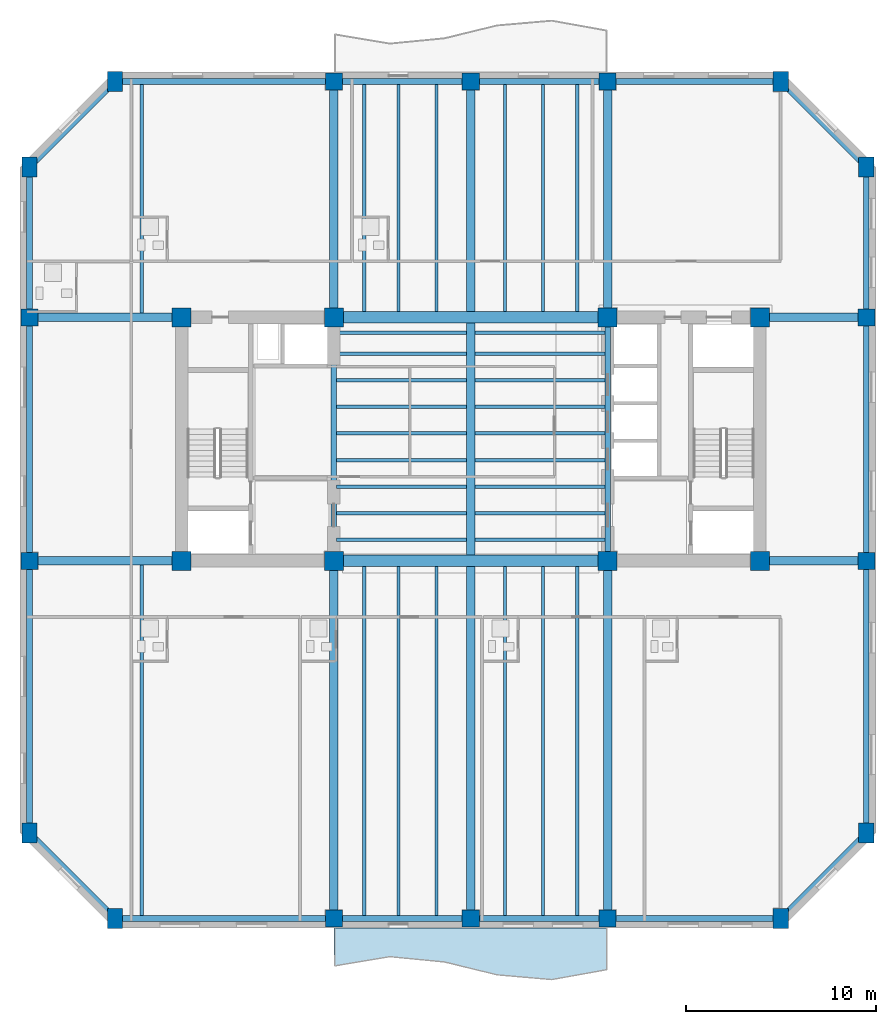
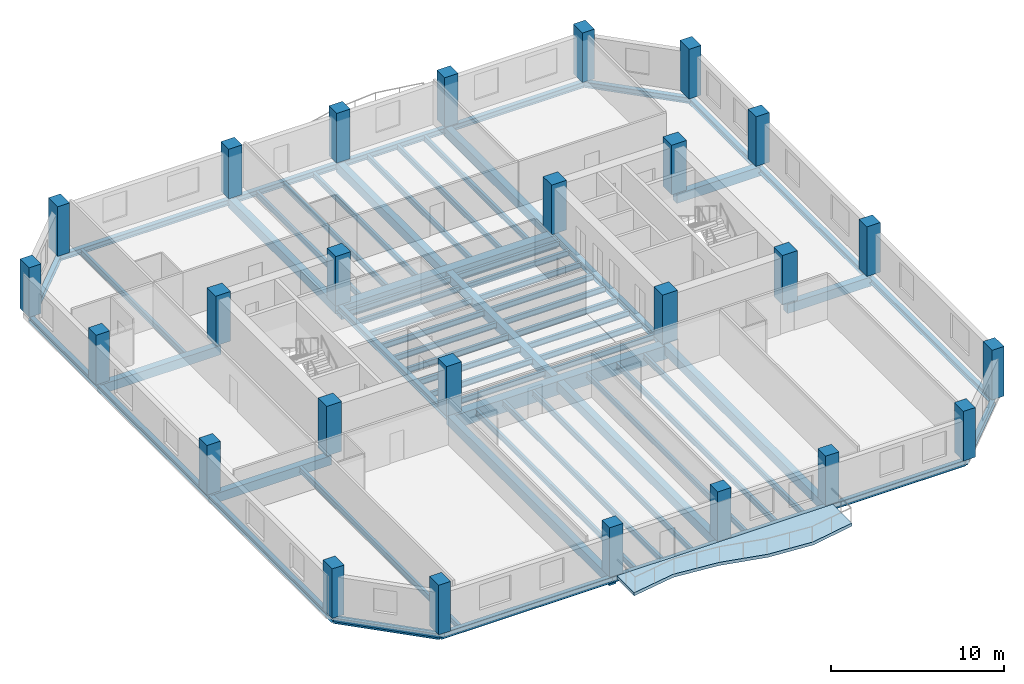
# One storey, part 1 of 10: 65 beams, 26 columns, 1 slab.
"""IFC4 building model written with IfcOpenShell, lengths in metres."""

from ifc_helpers import new_model, si_unit, direction, frame, origin, origin_2d, place, context, subcontext, project, spatial, polyline, rectangle, i_section, outline, extrude, material, layer, layer_set, material_profile, profile_set, type_object, element, save


model = new_model("IFC4")

# Units and contexts
model_context = context("Model", 3, precision=1e-05, world=origin(), true_north=direction((0.0, 1.0)))
body_context = subcontext(model_context, "Body", "Model", "MODEL_VIEW")
ifc_project = project(units=[si_unit("LENGTHUNIT", "METRE"), si_unit("AREAUNIT", "SQUARE_METRE"), si_unit("VOLUMEUNIT", "CUBIC_METRE"), si_unit("PLANEANGLEUNIT", "RADIAN"), si_unit("MASSUNIT", "GRAM", prefix="KILO")], contexts=[model_context])

# Site, building, storey
site_placement = place(None, origin())
site = spatial("IfcSite", under=ifc_project, at=site_placement, CompositionType="ELEMENT")
building_placement = place(site_placement, origin())
building = spatial("IfcBuilding", under=site, at=building_placement, Name="Kranthara Brick Stack", CompositionType="ELEMENT")
storey_placement = place(building_placement, frame((0.0, 0.0, 123.800048828125)))
storey = spatial("IfcBuildingStorey", under=building, at=storey_placement, Name="L30", CompositionType="ELEMENT", Elevation=123.800048828125)

# Columns
ifc_material_1 = material(Name="Concrete C60/75", Category="concrete")
ifc_material_profile_1 = material_profile(ifc_material_1, rectangle(XDim=0.800048828125, YDim=1.050048828125, at=origin_2d()), Name="RC 800x1050")
ifc_profile_set_1 = profile_set([ifc_material_profile_1], Name="Concrete C60/75")
column_type_1 = type_object("IfcColumnType", Name="COL-CHAM-800x1050", PredefinedType="COLUMN", material=ifc_profile_set_1)
for number, where, z_axis, x_axis, name in (
    (1, (9.300048828125, 2.0, 0.0), (0.0, 0.0, 1.0), (1.0, 0.0, 0.0), "L30 Column 09"),
    (2, (9.300048828125, 46.0, 0.0), (0.0, 0.0, 1.0), (1.0, 0.0, 0.0), "L30 Column 10"),
    (3, (44.300048828125, 2.0, 0.0), (0.0, 0.0, 1.0), (1.0, 0.0, 0.0), "L30 Column 17"),
    (4, (44.300048828125, 46.0, 0.0), (0.0, 0.0, 1.0), (1.0, 0.0, 0.0), "L30 Column 18"),
    (5, (4.800048828125, 6.5, 0.0), (0.0, 0.0, 1.0), (1.0, 0.0, 0.0), "L30 Column 19"),
    (6, (48.800048828125, 6.5, 0.0), (0.0, 0.0, 1.0), (1.0, 0.0, 0.0), "L30 Column 20"),
    (7, (4.800048828125, 41.5, 0.0), (0.0, 0.0, 1.0), (1.0, 0.0, 0.0), "L30 Column 25"),
    (8, (48.800048828125, 41.5, 0.0), (0.0, 0.0, 1.0), (1.0, 0.0, 0.0), "L30 Column 26"),
):
    element("IfcColumn", number, at=place(storey_placement, frame(where, z_axis=z_axis, x_axis=x_axis)), inside=storey, type_object=column_type_1, Name=name, PredefinedType="COLUMN", context=body_context, shape_type="SweptSolid", body=[
        extrude(rectangle(XDim=0.800048828125, YDim=1.050048828125, at=origin_2d()), origin(), (0.0, 0.0, 1.0), 3.5),
    ])
ifc_material_2 = material(Name="Concrete C60/75", Category="concrete")
ifc_material_profile_2 = material_profile(ifc_material_2, rectangle(XDim=1.0, YDim=1.0, at=origin_2d()), Name="RC 1000x1000")
ifc_profile_set_2 = profile_set([ifc_material_profile_2], Name="Concrete C60/75")
column_type_2 = type_object("IfcColumnType", Name="COL-CORE-1000", PredefinedType="COLUMN", material=ifc_profile_set_2)
for number, where, z_axis, x_axis, name in (
    (9, (12.800048828125, 20.800048828125, 0.0), (0.0, 0.0, 1.0), (1.0, 0.0, 0.0), "L30 Column 01"),
    (10, (20.800048828125, 20.800048828125, 0.0), (0.0, 0.0, 1.0), (1.0, 0.0, 0.0), "L30 Column 02"),
    (11, (12.800048828125, 33.60009765625, 0.0), (0.0, 0.0, 1.0), (1.0, 0.0, 0.0), "L30 Column 03"),
    (12, (20.800048828125, 33.60009765625, 0.0), (0.0, 0.0, 1.0), (1.0, 0.0, 0.0), "L30 Column 04"),
    (13, (35.199951171875, 20.800048828125, 0.0), (0.0, 0.0, 1.0), (1.0, 0.0, 0.0), "L30 Column 05"),
    (14, (43.199951171875, 20.800048828125, 0.0), (0.0, 0.0, 1.0), (1.0, 0.0, 0.0), "L30 Column 06"),
    (15, (35.199951171875, 33.60009765625, 0.0), (0.0, 0.0, 1.0), (1.0, 0.0, 0.0), "L30 Column 07"),
    (16, (43.199951171875, 33.60009765625, 0.0), (0.0, 0.0, 1.0), (1.0, 0.0, 0.0), "L30 Column 08"),
):
    element("IfcColumn", number, at=place(storey_placement, frame(where, z_axis=z_axis, x_axis=x_axis)), inside=storey, type_object=column_type_2, Name=name, PredefinedType="COLUMN", context=body_context, shape_type="SweptSolid", body=[
        extrude(rectangle(XDim=1.0, YDim=1.0, at=origin_2d()), origin(), (0.0, 0.0, 1.0), 3.5),
    ])
ifc_material_3 = material(Name="Concrete C60/75", Category="concrete")
ifc_material_profile_3 = material_profile(ifc_material_3, rectangle(XDim=0.89990234375, YDim=0.89990234375, at=origin_2d()), Name="RC 900x900")
ifc_profile_set_3 = profile_set([ifc_material_profile_3], Name="Concrete C60/75")
column_type_3 = type_object("IfcColumnType", Name="COL-PER-900", PredefinedType="COLUMN", material=ifc_profile_set_3)
for number, where, z_axis, x_axis, name in (
    (17, (20.800048828125, 2.0, 0.0), (0.0, 0.0, 1.0), (1.0, 0.0, 0.0), "L30 Column 11"),
    (18, (20.800048828125, 46.0, 0.0), (0.0, 0.0, 1.0), (1.0, 0.0, 0.0), "L30 Column 12"),
    (19, (28.0, 2.0, 0.0), (0.0, 0.0, 1.0), (1.0, 0.0, 0.0), "L30 Column 13"),
    (20, (28.0, 46.0, 0.0), (0.0, 0.0, 1.0), (1.0, 0.0, 0.0), "L30 Column 14"),
    (21, (35.199951171875, 2.0, 0.0), (0.0, 0.0, 1.0), (1.0, 0.0, 0.0), "L30 Column 15"),
    (22, (35.199951171875, 46.0, 0.0), (0.0, 0.0, 1.0), (1.0, 0.0, 0.0), "L30 Column 16"),
    (23, (4.800048828125, 20.800048828125, 0.0), (0.0, 0.0, 1.0), (1.0, 0.0, 0.0), "L30 Column 21"),
    (24, (48.800048828125, 20.800048828125, 0.0), (0.0, 0.0, 1.0), (1.0, 0.0, 0.0), "L30 Column 22"),
    (25, (4.800048828125, 33.60009765625, 0.0), (0.0, 0.0, 1.0), (1.0, 0.0, 0.0), "L30 Column 23"),
    (26, (48.800048828125, 33.60009765625, 0.0), (0.0, 0.0, 1.0), (1.0, 0.0, 0.0), "L30 Column 24"),
):
    element("IfcColumn", number, at=place(storey_placement, frame(where, z_axis=z_axis, x_axis=x_axis)), inside=storey, type_object=column_type_3, Name=name, PredefinedType="COLUMN", context=body_context, shape_type="SweptSolid", body=[
        extrude(rectangle(XDim=0.89990234375, YDim=0.89990234375, at=origin_2d()), origin(), (0.0, 0.0, 1.0), 3.5),
    ])

# Beams
ifc_material_4 = material(Name="Concrete C60/75", Category="concrete")
ifc_material_profile_4 = material_profile(ifc_material_4, rectangle(XDim=0.60009765625, YDim=0.949951171875, at=origin_2d()), Name="RC 600x950")
ifc_profile_set_4 = profile_set([ifc_material_profile_4], Name="Concrete C60/75")
beam_type_1 = type_object("IfcBeamType", Name="BM-CPL-RC950", PredefinedType="LINTEL", material=ifc_profile_set_4)
for number, where, z_axis, x_axis, name in (
    (27, (20.800048828125, 20.800048828125, -0.775146484375), (1.0, 0.0, 0.0), (0.0, 1.0, 0.0), "L30 Core Coupling Beam 001"),
    (28, (20.800048828125, 33.60009765625, -0.775146484375), (1.0, 0.0, 0.0), (0.0, 1.0, 0.0), "L30 Core Coupling Beam 002"),
):
    element("IfcBeam", number, at=place(storey_placement, frame(where, z_axis=z_axis, x_axis=x_axis)), inside=storey, type_object=beam_type_1, Name=name, PredefinedType="LINTEL", context=body_context, shape_type="SweptSolid", body=[
        extrude(rectangle(XDim=0.60009765625, YDim=0.949951171875, at=origin_2d()), origin(), (0.0, 0.0, 1.0), 14.39990234375),
    ])
ifc_material_5 = material(Name="Post-tensioned concrete C45/55", Category="concrete")
ifc_material_profile_5 = material_profile(ifc_material_5, rectangle(XDim=0.449951171875, YDim=0.64990234375, at=origin_2d()), Name="PT 450x650")
ifc_profile_set_5 = profile_set([ifc_material_profile_5], Name="Post-tensioned concrete C45/55")
beam_type_2 = type_object("IfcBeamType", Name="BM-FLR-PT650", PredefinedType="BEAM", material=ifc_profile_set_5)
beam_1_placement = place(storey_placement, frame((20.800048828125, 2.0, -0.625), z_axis=(0.0, 1.0, 0.0), x_axis=(-1.0, 0.0, 0.0)))
element("IfcBeam", 29, at=beam_1_placement, inside=storey, type_object=beam_type_2, Name="L30 Primary Grid Girder 023", PredefinedType="BEAM", context=body_context, shape_type="SweptSolid", body=[
    extrude(rectangle(XDim=0.449951171875, YDim=0.64990234375, at=origin_2d()), origin(), (0.0, 0.0, 1.0), 18.800048828125),
])
beam_2_placement = place(storey_placement, frame((20.800048828125, 33.60009765625, -0.625), z_axis=(0.0, 1.0, 0.0), x_axis=(-1.0, 0.0, 0.0)))
element("IfcBeam", 30, at=beam_2_placement, inside=storey, type_object=beam_type_2, Name="L30 Primary Grid Girder 024", PredefinedType="BEAM", context=body_context, shape_type="SweptSolid", body=[
    extrude(rectangle(XDim=0.449951171875, YDim=0.64990234375, at=origin_2d()), origin(), (0.0, 0.0, 1.0), 12.39990234375),
])
beam_3_placement = place(storey_placement, frame((28.0, 2.0, -0.625), z_axis=(0.0, 1.0, 0.0), x_axis=(-1.0, 0.0, 0.0)))
element("IfcBeam", 31, at=beam_3_placement, inside=storey, type_object=beam_type_2, Name="L30 Primary Grid Girder 025", PredefinedType="BEAM", context=body_context, shape_type="SweptSolid", body=[
    extrude(rectangle(XDim=0.449951171875, YDim=0.64990234375, at=origin_2d()), origin(), (0.0, 0.0, 1.0), 18.5),
])
beam_4_placement = place(storey_placement, frame((28.0, 21.10009765625, -0.625), z_axis=(0.0, 1.0, 0.0), x_axis=(-1.0, 0.0, 0.0)))
element("IfcBeam", 32, at=beam_4_placement, inside=storey, type_object=beam_type_2, Name="L30 Central Spine Girder 026", PredefinedType="BEAM", context=body_context, shape_type="SweptSolid", body=[
    extrude(rectangle(XDim=0.449951171875, YDim=0.64990234375, at=origin_2d()), origin(), (0.0, 0.0, 1.0), 12.199951171875),
])
beam_5_placement = place(storey_placement, frame((28.0, 33.89990234375, -0.625), z_axis=(0.0, 1.0, 0.0), x_axis=(-1.0, 0.0, 0.0)))
element("IfcBeam", 33, at=beam_5_placement, inside=storey, type_object=beam_type_2, Name="L30 Primary Grid Girder 027", PredefinedType="BEAM", context=body_context, shape_type="SweptSolid", body=[
    extrude(rectangle(XDim=0.449951171875, YDim=0.64990234375, at=origin_2d()), origin(), (0.0, 0.0, 1.0), 12.10009765625),
])
beam_6_placement = place(storey_placement, frame((35.199951171875, 2.0, -0.625), z_axis=(0.0, 1.0, 0.0), x_axis=(-1.0, 0.0, 0.0)))
element("IfcBeam", 34, at=beam_6_placement, inside=storey, type_object=beam_type_2, Name="L30 Primary Grid Girder 028", PredefinedType="BEAM", context=body_context, shape_type="SweptSolid", body=[
    extrude(rectangle(XDim=0.449951171875, YDim=0.64990234375, at=origin_2d()), origin(), (0.0, 0.0, 1.0), 18.800048828125),
])
beam_7_placement = place(storey_placement, frame((35.199951171875, 33.60009765625, -0.625), z_axis=(0.0, 1.0, 0.0), x_axis=(-1.0, 0.0, 0.0)))
element("IfcBeam", 35, at=beam_7_placement, inside=storey, type_object=beam_type_2, Name="L30 Primary Grid Girder 029", PredefinedType="BEAM", context=body_context, shape_type="SweptSolid", body=[
    extrude(rectangle(XDim=0.449951171875, YDim=0.64990234375, at=origin_2d()), origin(), (0.0, 0.0, 1.0), 12.39990234375),
])
beam_8_placement = place(storey_placement, frame((4.800048828125, 20.800048828125, -0.625), z_axis=(1.0, 0.0, 0.0), x_axis=(0.0, 1.0, 0.0)))
element("IfcBeam", 36, at=beam_8_placement, inside=storey, type_object=beam_type_2, Name="L30 Primary Grid Girder 030", PredefinedType="BEAM", context=body_context, shape_type="SweptSolid", body=[
    extrude(rectangle(XDim=0.449951171875, YDim=0.64990234375, at=origin_2d()), origin(), (0.0, 0.0, 1.0), 8.0),
])
beam_9_placement = place(storey_placement, frame((43.199951171875, 20.800048828125, -0.625), z_axis=(1.0, 0.0, 0.0), x_axis=(0.0, 1.0, 0.0)))
element("IfcBeam", 37, at=beam_9_placement, inside=storey, type_object=beam_type_2, Name="L30 Primary Grid Girder 031", PredefinedType="BEAM", context=body_context, shape_type="SweptSolid", body=[
    extrude(rectangle(XDim=0.449951171875, YDim=0.64990234375, at=origin_2d()), origin(), (0.0, 0.0, 1.0), 5.60009765625),
])
beam_10_placement = place(storey_placement, frame((4.800048828125, 33.60009765625, -0.625), z_axis=(1.0, 0.0, 0.0), x_axis=(0.0, 1.0, 0.0)))
element("IfcBeam", 38, at=beam_10_placement, inside=storey, type_object=beam_type_2, Name="L30 Primary Grid Girder 032", PredefinedType="BEAM", context=body_context, shape_type="SweptSolid", body=[
    extrude(rectangle(XDim=0.449951171875, YDim=0.64990234375, at=origin_2d()), origin(), (0.0, 0.0, 1.0), 8.0),
])
beam_11_placement = place(storey_placement, frame((43.199951171875, 33.60009765625, -0.625), z_axis=(1.0, 0.0, 0.0), x_axis=(0.0, 1.0, 0.0)))
element("IfcBeam", 39, at=beam_11_placement, inside=storey, type_object=beam_type_2, Name="L30 Primary Grid Girder 033", PredefinedType="BEAM", context=body_context, shape_type="SweptSolid", body=[
    extrude(rectangle(XDim=0.449951171875, YDim=0.64990234375, at=origin_2d()), origin(), (0.0, 0.0, 1.0), 5.60009765625),
])
ifc_material_6 = material(Name="Steel S355", Category="steel")
ifc_material_profile_6 = material_profile(ifc_material_6, i_section(OverallWidth=0.179931640625, OverallDepth=0.39990234375, WebThickness=0.008544921875, FlangeThickness=0.013427734375, at=origin_2d()), Name="IPE 400")
ifc_profile_set_6 = profile_set([ifc_material_profile_6], Name="Steel S355")
beam_type_3 = type_object("IfcBeamType", Name="BM-JST-IPE400", PredefinedType="JOIST", material=ifc_profile_set_6)
for number, where, z_axis, x_axis, name in (
    (40, (20.949951171875, 21.89990234375, -0.5), (1.0, 0.0, 0.0), (0.0, 1.0, 0.0), "L30 Central Floor Joist 034"),
    (41, (28.22509765625, 21.89990234375, -0.5), (1.0, 0.0, 0.0), (0.0, 1.0, 0.0), "L30 Central Floor Joist 035"),
    (42, (20.949951171875, 23.300048828125, -0.5), (1.0, 0.0, 0.0), (0.0, 1.0, 0.0), "L30 Central Floor Joist 036"),
    (43, (28.22509765625, 23.300048828125, -0.5), (1.0, 0.0, 0.0), (0.0, 1.0, 0.0), "L30 Central Floor Joist 037"),
    (44, (20.949951171875, 24.699951171875, -0.5), (1.0, 0.0, 0.0), (0.0, 1.0, 0.0), "L30 Central Floor Joist 038"),
    (45, (28.22509765625, 24.699951171875, -0.5), (1.0, 0.0, 0.0), (0.0, 1.0, 0.0), "L30 Central Floor Joist 039"),
    (46, (20.949951171875, 26.10009765625, -0.5), (1.0, 0.0, 0.0), (0.0, 1.0, 0.0), "L30 Central Floor Joist 040"),
    (47, (28.22509765625, 26.10009765625, -0.5), (1.0, 0.0, 0.0), (0.0, 1.0, 0.0), "L30 Central Floor Joist 041"),
    (48, (20.949951171875, 27.5, -0.5), (1.0, 0.0, 0.0), (0.0, 1.0, 0.0), "L30 Central Floor Joist 042"),
    (49, (28.22509765625, 27.5, -0.5), (1.0, 0.0, 0.0), (0.0, 1.0, 0.0), "L30 Central Floor Joist 043"),
    (50, (20.949951171875, 28.89990234375, -0.5), (1.0, 0.0, 0.0), (0.0, 1.0, 0.0), "L30 Central Floor Joist 044"),
    (51, (28.22509765625, 28.89990234375, -0.5), (1.0, 0.0, 0.0), (0.0, 1.0, 0.0), "L30 Central Floor Joist 045"),
    (52, (20.949951171875, 30.300048828125, -0.5), (1.0, 0.0, 0.0), (0.0, 1.0, 0.0), "L30 Central Floor Joist 046"),
    (53, (28.22509765625, 30.300048828125, -0.5), (1.0, 0.0, 0.0), (0.0, 1.0, 0.0), "L30 Central Floor Joist 047"),
    (54, (20.949951171875, 31.699951171875, -0.5), (1.0, 0.0, 0.0), (0.0, 1.0, 0.0), "L30 Central Floor Joist 048"),
    (55, (28.22509765625, 31.699951171875, -0.5), (1.0, 0.0, 0.0), (0.0, 1.0, 0.0), "L30 Central Floor Joist 049"),
    (56, (20.949951171875, 32.800048828125, -0.5), (1.0, 0.0, 0.0), (0.0, 1.0, 0.0), "L30 Central Floor Joist 050"),
    (57, (28.22509765625, 32.800048828125, -0.5), (1.0, 0.0, 0.0), (0.0, 1.0, 0.0), "L30 Central Floor Joist 051"),
):
    element("IfcBeam", number, at=place(storey_placement, frame(where, z_axis=z_axis, x_axis=x_axis)), inside=storey, type_object=beam_type_3, Name=name, PredefinedType="JOIST", context=body_context, shape_type="SweptSolid", body=[
        extrude(i_section(OverallWidth=0.179931640625, OverallDepth=0.39990234375, WebThickness=0.008544921875, FlangeThickness=0.013427734375, at=origin_2d()), origin(), (0.0, 0.0, 1.0), 6.824951171875),
    ])
beam_12_placement = place(storey_placement, frame((10.699951171875, 2.14990234375, -0.5), z_axis=(0.0, 1.0, 0.0), x_axis=(-1.0, 0.0, 0.0)))
element("IfcBeam", 58, at=beam_12_placement, inside=storey, type_object=beam_type_3, Name="L30 South Wing Floor Joist 052", PredefinedType="JOIST", context=body_context, shape_type="SweptSolid", body=[
    extrude(i_section(OverallWidth=0.179931640625, OverallDepth=0.39990234375, WebThickness=0.008544921875, FlangeThickness=0.013427734375, at=origin_2d()), origin(), (0.0, 0.0, 1.0), 18.425048828125),
])
beam_13_placement = place(storey_placement, frame((10.699951171875, 33.824951171875, -0.5), z_axis=(0.0, 1.0, 0.0), x_axis=(-1.0, 0.0, 0.0)))
element("IfcBeam", 59, at=beam_13_placement, inside=storey, type_object=beam_type_3, Name="L30 North Wing Floor Joist 053", PredefinedType="JOIST", context=body_context, shape_type="SweptSolid", body=[
    extrude(i_section(OverallWidth=0.179931640625, OverallDepth=0.39990234375, WebThickness=0.008544921875, FlangeThickness=0.013427734375, at=origin_2d()), origin(), (0.0, 0.0, 1.0), 12.025146484375),
])
beam_14_placement = place(storey_placement, frame((22.39990234375, 2.14990234375, -0.5), z_axis=(0.0, 1.0, 0.0), x_axis=(-1.0, 0.0, 0.0)))
element("IfcBeam", 60, at=beam_14_placement, inside=storey, type_object=beam_type_3, Name="L30 South Wing Floor Joist 054", PredefinedType="JOIST", context=body_context, shape_type="SweptSolid", body=[
    extrude(i_section(OverallWidth=0.179931640625, OverallDepth=0.39990234375, WebThickness=0.008544921875, FlangeThickness=0.013427734375, at=origin_2d()), origin(), (0.0, 0.0, 1.0), 18.35009765625),
])
beam_15_placement = place(storey_placement, frame((22.39990234375, 33.89990234375, -0.5), z_axis=(0.0, 1.0, 0.0), x_axis=(-1.0, 0.0, 0.0)))
element("IfcBeam", 61, at=beam_15_placement, inside=storey, type_object=beam_type_3, Name="L30 North Wing Floor Joist 055", PredefinedType="JOIST", context=body_context, shape_type="SweptSolid", body=[
    extrude(i_section(OverallWidth=0.179931640625, OverallDepth=0.39990234375, WebThickness=0.008544921875, FlangeThickness=0.013427734375, at=origin_2d()), origin(), (0.0, 0.0, 1.0), 11.9501953125),
])
beam_16_placement = place(storey_placement, frame((24.199951171875, 2.14990234375, -0.5), z_axis=(0.0, 1.0, 0.0), x_axis=(-1.0, 0.0, 0.0)))
element("IfcBeam", 62, at=beam_16_placement, inside=storey, type_object=beam_type_3, Name="L30 South Wing Floor Joist 056", PredefinedType="JOIST", context=body_context, shape_type="SweptSolid", body=[
    extrude(i_section(OverallWidth=0.179931640625, OverallDepth=0.39990234375, WebThickness=0.008544921875, FlangeThickness=0.013427734375, at=origin_2d()), origin(), (0.0, 0.0, 1.0), 18.35009765625),
])
beam_17_placement = place(storey_placement, frame((24.199951171875, 33.89990234375, -0.5), z_axis=(0.0, 1.0, 0.0), x_axis=(-1.0, 0.0, 0.0)))
element("IfcBeam", 63, at=beam_17_placement, inside=storey, type_object=beam_type_3, Name="L30 North Wing Floor Joist 057", PredefinedType="JOIST", context=body_context, shape_type="SweptSolid", body=[
    extrude(i_section(OverallWidth=0.179931640625, OverallDepth=0.39990234375, WebThickness=0.008544921875, FlangeThickness=0.013427734375, at=origin_2d()), origin(), (0.0, 0.0, 1.0), 11.9501953125),
])
beam_18_placement = place(storey_placement, frame((26.199951171875, 2.14990234375, -0.5), z_axis=(0.0, 1.0, 0.0), x_axis=(-1.0, 0.0, 0.0)))
element("IfcBeam", 64, at=beam_18_placement, inside=storey, type_object=beam_type_3, Name="L30 South Wing Floor Joist 058", PredefinedType="JOIST", context=body_context, shape_type="SweptSolid", body=[
    extrude(i_section(OverallWidth=0.179931640625, OverallDepth=0.39990234375, WebThickness=0.008544921875, FlangeThickness=0.013427734375, at=origin_2d()), origin(), (0.0, 0.0, 1.0), 18.35009765625),
])
beam_19_placement = place(storey_placement, frame((26.199951171875, 33.89990234375, -0.5), z_axis=(0.0, 1.0, 0.0), x_axis=(-1.0, 0.0, 0.0)))
element("IfcBeam", 65, at=beam_19_placement, inside=storey, type_object=beam_type_3, Name="L30 North Wing Floor Joist 059", PredefinedType="JOIST", context=body_context, shape_type="SweptSolid", body=[
    extrude(i_section(OverallWidth=0.179931640625, OverallDepth=0.39990234375, WebThickness=0.008544921875, FlangeThickness=0.013427734375, at=origin_2d()), origin(), (0.0, 0.0, 1.0), 11.9501953125),
])
beam_20_placement = place(storey_placement, frame((29.800048828125, 2.14990234375, -0.5), z_axis=(0.0, 1.0, 0.0), x_axis=(-1.0, 0.0, 0.0)))
element("IfcBeam", 66, at=beam_20_placement, inside=storey, type_object=beam_type_3, Name="L30 South Wing Floor Joist 060", PredefinedType="JOIST", context=body_context, shape_type="SweptSolid", body=[
    extrude(i_section(OverallWidth=0.179931640625, OverallDepth=0.39990234375, WebThickness=0.008544921875, FlangeThickness=0.013427734375, at=origin_2d()), origin(), (0.0, 0.0, 1.0), 18.35009765625),
])
beam_21_placement = place(storey_placement, frame((29.800048828125, 33.89990234375, -0.5), z_axis=(0.0, 1.0, 0.0), x_axis=(-1.0, 0.0, 0.0)))
element("IfcBeam", 67, at=beam_21_placement, inside=storey, type_object=beam_type_3, Name="L30 North Wing Floor Joist 061", PredefinedType="JOIST", context=body_context, shape_type="SweptSolid", body=[
    extrude(i_section(OverallWidth=0.179931640625, OverallDepth=0.39990234375, WebThickness=0.008544921875, FlangeThickness=0.013427734375, at=origin_2d()), origin(), (0.0, 0.0, 1.0), 11.9501953125),
])
beam_22_placement = place(storey_placement, frame((31.800048828125, 2.14990234375, -0.5), z_axis=(0.0, 1.0, 0.0), x_axis=(-1.0, 0.0, 0.0)))
element("IfcBeam", 68, at=beam_22_placement, inside=storey, type_object=beam_type_3, Name="L30 South Wing Floor Joist 062", PredefinedType="JOIST", context=body_context, shape_type="SweptSolid", body=[
    extrude(i_section(OverallWidth=0.179931640625, OverallDepth=0.39990234375, WebThickness=0.008544921875, FlangeThickness=0.013427734375, at=origin_2d()), origin(), (0.0, 0.0, 1.0), 18.35009765625),
])
beam_23_placement = place(storey_placement, frame((31.800048828125, 33.89990234375, -0.5), z_axis=(0.0, 1.0, 0.0), x_axis=(-1.0, 0.0, 0.0)))
element("IfcBeam", 69, at=beam_23_placement, inside=storey, type_object=beam_type_3, Name="L30 North Wing Floor Joist 063", PredefinedType="JOIST", context=body_context, shape_type="SweptSolid", body=[
    extrude(i_section(OverallWidth=0.179931640625, OverallDepth=0.39990234375, WebThickness=0.008544921875, FlangeThickness=0.013427734375, at=origin_2d()), origin(), (0.0, 0.0, 1.0), 11.9501953125),
])
beam_24_placement = place(storey_placement, frame((33.60009765625, 2.14990234375, -0.5), z_axis=(0.0, 1.0, 0.0), x_axis=(-1.0, 0.0, 0.0)))
element("IfcBeam", 70, at=beam_24_placement, inside=storey, type_object=beam_type_3, Name="L30 South Wing Floor Joist 064", PredefinedType="JOIST", context=body_context, shape_type="SweptSolid", body=[
    extrude(i_section(OverallWidth=0.179931640625, OverallDepth=0.39990234375, WebThickness=0.008544921875, FlangeThickness=0.013427734375, at=origin_2d()), origin(), (0.0, 0.0, 1.0), 18.35009765625),
])
beam_25_placement = place(storey_placement, frame((33.60009765625, 33.89990234375, -0.5), z_axis=(0.0, 1.0, 0.0), x_axis=(-1.0, 0.0, 0.0)))
element("IfcBeam", 71, at=beam_25_placement, inside=storey, type_object=beam_type_3, Name="L30 North Wing Floor Joist 065", PredefinedType="JOIST", context=body_context, shape_type="SweptSolid", body=[
    extrude(i_section(OverallWidth=0.179931640625, OverallDepth=0.39990234375, WebThickness=0.008544921875, FlangeThickness=0.013427734375, at=origin_2d()), origin(), (0.0, 0.0, 1.0), 11.9501953125),
])
ifc_material_7 = material(Name="Steel S355", Category="steel")
ifc_material_profile_7 = material_profile(ifc_material_7, i_section(OverallWidth=0.300048828125, OverallDepth=0.39990234375, WebThickness=0.013427734375, FlangeThickness=0.02392578125, at=origin_2d()), Name="HEB 400")
ifc_profile_set_7 = profile_set([ifc_material_profile_7], Name="Steel S355")
beam_type_4 = type_object("IfcBeamType", Name="BM-STL-HEB400", PredefinedType="SPANDREL", material=ifc_profile_set_7)
beam_26_placement = place(storey_placement, frame((9.300048828125, 2.0, -0.5), z_axis=(1.0, 0.0, 0.0), x_axis=(0.0, 1.0, 0.0)))
element("IfcBeam", 72, at=beam_26_placement, inside=storey, type_object=beam_type_4, Name="L30 Perimeter Spandrel Beam 005", PredefinedType="SPANDREL", context=body_context, shape_type="SweptSolid", body=[
    extrude(i_section(OverallWidth=0.300048828125, OverallDepth=0.39990234375, WebThickness=0.013427734375, FlangeThickness=0.02392578125, at=origin_2d()), origin(), (0.0, 0.0, 1.0), 11.5),
])
for number, where, z_axis, x_axis, name in (
    (73, (20.800048828125, 2.0, -0.5), (1.0, 0.0, 0.0), (0.0, 1.0, 0.0), "L30 Perimeter Spandrel Beam 006"),
    (74, (28.0, 2.0, -0.5), (1.0, 0.0, 0.0), (0.0, 1.0, 0.0), "L30 Perimeter Spandrel Beam 007"),
):
    element("IfcBeam", number, at=place(storey_placement, frame(where, z_axis=z_axis, x_axis=x_axis)), inside=storey, type_object=beam_type_4, Name=name, PredefinedType="SPANDREL", context=body_context, shape_type="SweptSolid", body=[
        extrude(i_section(OverallWidth=0.300048828125, OverallDepth=0.39990234375, WebThickness=0.013427734375, FlangeThickness=0.02392578125, at=origin_2d()), origin(), (0.0, 0.0, 1.0), 7.199951171875),
    ])
beam_27_placement = place(storey_placement, frame((35.199951171875, 2.0, -0.5), z_axis=(1.0, 0.0, 0.0), x_axis=(0.0, 1.0, 0.0)))
element("IfcBeam", 75, at=beam_27_placement, inside=storey, type_object=beam_type_4, Name="L30 Perimeter Spandrel Beam 008", PredefinedType="SPANDREL", context=body_context, shape_type="SweptSolid", body=[
    extrude(i_section(OverallWidth=0.300048828125, OverallDepth=0.39990234375, WebThickness=0.013427734375, FlangeThickness=0.02392578125, at=origin_2d()), origin(), (0.0, 0.0, 1.0), 9.10009765625),
])
beam_28_placement = place(storey_placement, frame((9.300048828125, 46.0, -0.5), z_axis=(1.0, 0.0, 0.0), x_axis=(0.0, 1.0, 0.0)))
element("IfcBeam", 76, at=beam_28_placement, inside=storey, type_object=beam_type_4, Name="L30 Perimeter Spandrel Beam 009", PredefinedType="SPANDREL", context=body_context, shape_type="SweptSolid", body=[
    extrude(i_section(OverallWidth=0.300048828125, OverallDepth=0.39990234375, WebThickness=0.013427734375, FlangeThickness=0.02392578125, at=origin_2d()), origin(), (0.0, 0.0, 1.0), 11.5),
])
for number, where, z_axis, x_axis, name in (
    (77, (20.800048828125, 46.0, -0.5), (1.0, 0.0, 0.0), (0.0, 1.0, 0.0), "L30 Perimeter Spandrel Beam 010"),
    (78, (28.0, 46.0, -0.5), (1.0, 0.0, 0.0), (0.0, 1.0, 0.0), "L30 Perimeter Spandrel Beam 011"),
):
    element("IfcBeam", number, at=place(storey_placement, frame(where, z_axis=z_axis, x_axis=x_axis)), inside=storey, type_object=beam_type_4, Name=name, PredefinedType="SPANDREL", context=body_context, shape_type="SweptSolid", body=[
        extrude(i_section(OverallWidth=0.300048828125, OverallDepth=0.39990234375, WebThickness=0.013427734375, FlangeThickness=0.02392578125, at=origin_2d()), origin(), (0.0, 0.0, 1.0), 7.199951171875),
    ])
beam_29_placement = place(storey_placement, frame((35.199951171875, 46.0, -0.5), z_axis=(1.0, 0.0, 0.0), x_axis=(0.0, 1.0, 0.0)))
element("IfcBeam", 79, at=beam_29_placement, inside=storey, type_object=beam_type_4, Name="L30 Perimeter Spandrel Beam 012", PredefinedType="SPANDREL", context=body_context, shape_type="SweptSolid", body=[
    extrude(i_section(OverallWidth=0.300048828125, OverallDepth=0.39990234375, WebThickness=0.013427734375, FlangeThickness=0.02392578125, at=origin_2d()), origin(), (0.0, 0.0, 1.0), 9.10009765625),
])
beam_30_placement = place(storey_placement, frame((4.800048828125, 6.5, -0.5), z_axis=(0.0, 1.0, 0.0), x_axis=(-1.0, 0.0, 0.0)))
element("IfcBeam", 80, at=beam_30_placement, inside=storey, type_object=beam_type_4, Name="L30 Perimeter Spandrel Beam 013", PredefinedType="SPANDREL", context=body_context, shape_type="SweptSolid", body=[
    extrude(i_section(OverallWidth=0.300048828125, OverallDepth=0.39990234375, WebThickness=0.013427734375, FlangeThickness=0.02392578125, at=origin_2d()), origin(), (0.0, 0.0, 1.0), 14.300048828125),
])
beam_31_placement = place(storey_placement, frame((4.800048828125, 20.800048828125, -0.5), z_axis=(0.0, 1.0, 0.0), x_axis=(-1.0, 0.0, 0.0)))
element("IfcBeam", 81, at=beam_31_placement, inside=storey, type_object=beam_type_4, Name="L30 Perimeter Spandrel Beam 014", PredefinedType="SPANDREL", context=body_context, shape_type="SweptSolid", body=[
    extrude(i_section(OverallWidth=0.300048828125, OverallDepth=0.39990234375, WebThickness=0.013427734375, FlangeThickness=0.02392578125, at=origin_2d()), origin(), (0.0, 0.0, 1.0), 12.800048828125),
])
beam_32_placement = place(storey_placement, frame((4.800048828125, 33.60009765625, -0.5), z_axis=(0.0, 1.0, 0.0), x_axis=(-1.0, 0.0, 0.0)))
element("IfcBeam", 82, at=beam_32_placement, inside=storey, type_object=beam_type_4, Name="L30 Perimeter Spandrel Beam 015", PredefinedType="SPANDREL", context=body_context, shape_type="SweptSolid", body=[
    extrude(i_section(OverallWidth=0.300048828125, OverallDepth=0.39990234375, WebThickness=0.013427734375, FlangeThickness=0.02392578125, at=origin_2d()), origin(), (0.0, 0.0, 1.0), 7.89990234375),
])
beam_33_placement = place(storey_placement, frame((48.800048828125, 6.5, -0.5), z_axis=(0.0, 1.0, 0.0), x_axis=(-1.0, 0.0, 0.0)))
element("IfcBeam", 83, at=beam_33_placement, inside=storey, type_object=beam_type_4, Name="L30 Perimeter Spandrel Beam 016", PredefinedType="SPANDREL", context=body_context, shape_type="SweptSolid", body=[
    extrude(i_section(OverallWidth=0.300048828125, OverallDepth=0.39990234375, WebThickness=0.013427734375, FlangeThickness=0.02392578125, at=origin_2d()), origin(), (0.0, 0.0, 1.0), 14.300048828125),
])
beam_34_placement = place(storey_placement, frame((48.800048828125, 20.800048828125, -0.5), z_axis=(0.0, 1.0, 0.0), x_axis=(-1.0, 0.0, 0.0)))
element("IfcBeam", 84, at=beam_34_placement, inside=storey, type_object=beam_type_4, Name="L30 Perimeter Spandrel Beam 017", PredefinedType="SPANDREL", context=body_context, shape_type="SweptSolid", body=[
    extrude(i_section(OverallWidth=0.300048828125, OverallDepth=0.39990234375, WebThickness=0.013427734375, FlangeThickness=0.02392578125, at=origin_2d()), origin(), (0.0, 0.0, 1.0), 12.800048828125),
])
beam_35_placement = place(storey_placement, frame((48.800048828125, 33.60009765625, -0.5), z_axis=(0.0, 1.0, 0.0), x_axis=(-1.0, 0.0, 0.0)))
element("IfcBeam", 85, at=beam_35_placement, inside=storey, type_object=beam_type_4, Name="L30 Perimeter Spandrel Beam 018", PredefinedType="SPANDREL", context=body_context, shape_type="SweptSolid", body=[
    extrude(i_section(OverallWidth=0.300048828125, OverallDepth=0.39990234375, WebThickness=0.013427734375, FlangeThickness=0.02392578125, at=origin_2d()), origin(), (0.0, 0.0, 1.0), 7.89990234375),
])
for number, where, z_axis, x_axis, name in (
    (86, (9.300048828125, 2.0, -0.5), (-0.707106781187, 0.707106781187, 0.0), (-0.707106781187, -0.707106781187, 0.0), "L30 Chamfer Corner Spandrel 019"),
    (87, (44.300048828125, 2.0, -0.5), (0.707106781187, 0.707106781187, 0.0), (-0.707106781187, 0.707106781187, 0.0), "L30 Chamfer Corner Spandrel 020"),
    (88, (9.300048828125, 46.0, -0.5), (-0.707106781187, -0.707106781187, 0.0), (0.707106781187, -0.707106781187, 0.0), "L30 Chamfer Corner Spandrel 021"),
    (89, (44.300048828125, 46.0, -0.5), (0.707106781187, -0.707106781187, 0.0), (0.707106781187, 0.707106781187, 0.0), "L30 Chamfer Corner Spandrel 022"),
):
    element("IfcBeam", number, at=place(storey_placement, frame(where, z_axis=z_axis, x_axis=x_axis)), inside=storey, type_object=beam_type_4, Name=name, PredefinedType="SPANDREL", context=body_context, shape_type="SweptSolid", body=[
        extrude(i_section(OverallWidth=0.300048828125, OverallDepth=0.39990234375, WebThickness=0.013427734375, FlangeThickness=0.02392578125, at=origin_2d()), origin(), (0.0, 0.0, 1.0), 6.364013671875),
    ])
ifc_material_8 = material(Name="Steel S355", Category="steel")
ifc_material_profile_8 = material_profile(ifc_material_8, i_section(OverallWidth=0.300048828125, OverallDepth=0.449951171875, WebThickness=0.013916015625, FlangeThickness=0.02587890625, at=origin_2d()), Name="HEB 450")
ifc_profile_set_8 = profile_set([ifc_material_profile_8], Name="Steel S355")
beam_type_5 = type_object("IfcBeamType", Name="BM-STL-HEB450", PredefinedType="SPANDREL", material=ifc_profile_set_8)
for number, where, z_axis, x_axis, name in (
    (90, (20.800048828125, 20.800048828125, -0.525146484375), (0.0, 1.0, 0.0), (-1.0, 0.0, 0.0), "L30 Core Edge Tie Beam 003"),
    (91, (35.199951171875, 20.800048828125, -0.525146484375), (0.0, 1.0, 0.0), (-1.0, 0.0, 0.0), "L30 Core Edge Tie Beam 004"),
):
    element("IfcBeam", number, at=place(storey_placement, frame(where, z_axis=z_axis, x_axis=x_axis)), inside=storey, type_object=beam_type_5, Name=name, PredefinedType="SPANDREL", context=body_context, shape_type="SweptSolid", body=[
        extrude(i_section(OverallWidth=0.300048828125, OverallDepth=0.449951171875, WebThickness=0.013916015625, FlangeThickness=0.02587890625, at=origin_2d()), origin(), (0.0, 0.0, 1.0), 12.800048828125),
    ])

# Slab
ifc_material_9 = material(Name="Concrete C45/55", Category="concrete")
ifc_layer = layer(ifc_material_9, 0.219970703125)
ifc_layer_set = layer_set([ifc_layer], Name="Concrete C45/55")
slab_type = type_object("IfcSlabType", Name="SLB-BALC-220", PredefinedType="FLOOR", material=ifc_layer_set)
slab_placement = place(storey_placement, frame((0.0, 0.0, -0.219970703125)))
element("IfcSlab", 92, at=slab_placement, inside=storey, type_object=slab_type, Name="L30 South Rippling Balcony Slab", PredefinedType="FLOOR", context=body_context, shape_type="SweptSolid", body=[
    extrude(outline(polyline([(20.800048828125, 1.5), (35.199951171875, 1.5), (35.199951171875, -0.70068359375), (32.320068359375, -1.229248046875), (29.43994140625, -0.997802734375), (26.56005859375, -0.297607421875), (23.679931640625, -0.009033203125), (20.800048828125, -0.4951171875), (20.800048828125, 1.5)])), origin(), (0.0, 0.0, 1.0), 0.219970703125),
])

save(model, "model.ifc")
